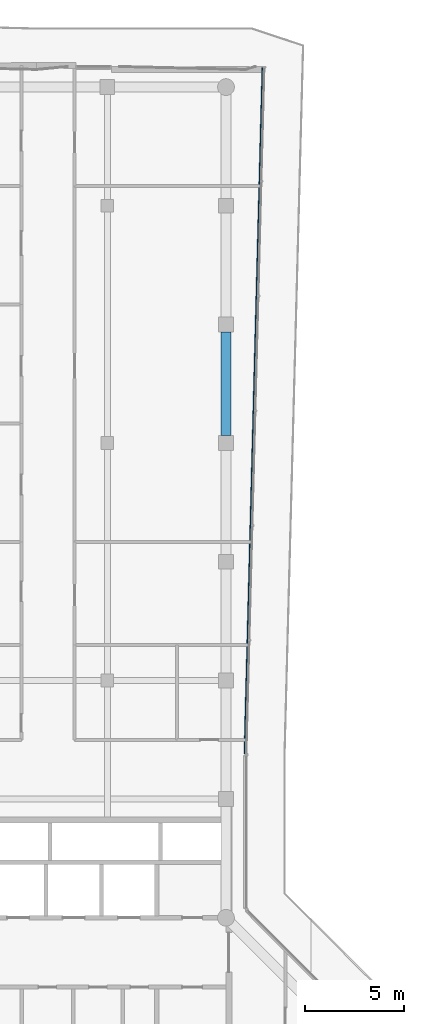
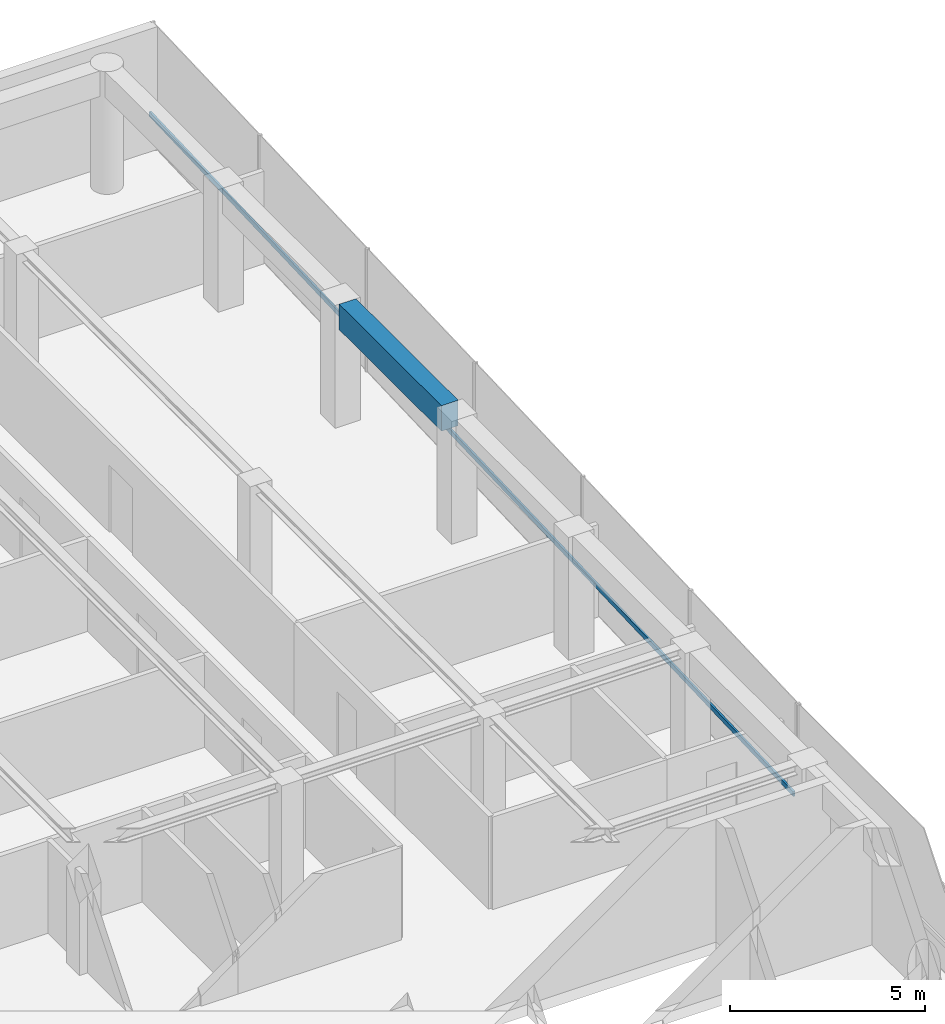
# One storey, part 11 of 18: 1 beam, 1 member, 1 element without a shape of its own.
"""IFC4 building model written with IfcOpenShell, lengths in metres."""

from ifc_helpers import new_model, si_unit, direction, frame, origin, origin_2d, place, context, subcontext, project, spatial, rectangle, extrude, material, layer, layer_set, material_profile, profile_set, type_object, element, aggregate, save


model = new_model("IFC4")

# Units and contexts
model_context = context("Model", 3, precision=1e-05, world=origin(), true_north=direction((0.0, 1.0)))
body_context = subcontext(model_context, "Body", "Model", "MODEL_VIEW")
ifc_project = project(units=[si_unit("LENGTHUNIT", "METRE"), si_unit("AREAUNIT", "SQUARE_METRE"), si_unit("VOLUMEUNIT", "CUBIC_METRE"), si_unit("PLANEANGLEUNIT", "RADIAN"), si_unit("MASSUNIT", "GRAM", prefix="KILO")], contexts=[model_context])

# Site, building, storey
site_placement = place(None, origin())
site = spatial("IfcSite", under=ifc_project, at=site_placement, CompositionType="ELEMENT")
building_placement = place(site_placement, origin())
building = spatial("IfcBuilding", under=site, at=building_placement, Name="Welwitschia Terrace Campus", CompositionType="ELEMENT")
storey_placement = place(building_placement, frame((0.0, 0.0, 281.0)))
storey = spatial("IfcBuildingStorey", under=building, at=storey_placement, Name="L62", CompositionType="ELEMENT", Elevation=281.0)

# Beam
ifc_material_1 = material(Name="Concrete C50/60", Category="concrete")
ifc_material_profile_1 = material_profile(ifc_material_1, rectangle(XDim=0.5, YDim=0.800048828125, at=origin_2d()))
ifc_profile_set_1 = profile_set([ifc_material_profile_1], Name="Concrete C50/60")
beam_type = type_object("IfcBeamType", Name="Ring spandrel 500x800", PredefinedType="SPANDREL", material=ifc_profile_set_1)
beam_placement = place(storey_placement, frame((24.0, 44.37548828125, 3.449951171875), z_axis=(0.0, 1.0, 0.0), x_axis=(-1.0, 0.0, 0.0)))
element("IfcBeam", 1, at=beam_placement, inside=storey, type_object=beam_type, Name="Spandrel SP4", PredefinedType="SPANDREL", context=body_context, shape_type="SweptSolid", body=[
    extrude(rectangle(XDim=0.5, YDim=0.800048828125, at=origin_2d()), origin(), (0.0, 0.0, 1.0), 5.2490234375),
])

# Curtain wall, member
ifc_material_2 = material(Name="Bronze anodised aluminium", Category="aluminium")
ifc_layer = layer(ifc_material_2, 0.1201171875)
ifc_layer_set = layer_set([ifc_layer], Name="Bronze anodised aluminium")
curtain_wall_type = type_object("IfcCurtainWallType", Name="Curtain wall CW2 tower 6000", PredefinedType="NOTDEFINED", material=ifc_layer_set)
curtain_wall_placement = place(storey_placement, origin())
curtain_wall = element("IfcCurtainWall", 2, at=curtain_wall_placement, inside=storey, type_object=curtain_wall_type, Name="CW L62.9.0", PredefinedType="NOTDEFINED")
ifc_material_3 = material(Name="Bronze anodised aluminium", Category="aluminium")
ifc_material_profile_2 = material_profile(ifc_material_3, rectangle(XDim=0.06005859375, YDim=0.14990234375, at=origin_2d()))
ifc_profile_set_2 = profile_set([ifc_material_profile_2], Name="Bronze anodised aluminium")
member_type = type_object("IfcMemberType", Name="Transom 60x150", PredefinedType="USERDEFINED", material=ifc_profile_set_2)
member_placement = place(storey_placement, frame((24.941650390625, 28.3056640625, 1.0), z_axis=(0.026175049256, 0.999657374702, 0.0), x_axis=(-0.999657374702, 0.026175049256, 0.0)))
member = element("IfcMember", 3, at=member_placement, type_object=member_type, Name="Transom L62.9.0", ObjectType="TRANSOM", PredefinedType="USERDEFINED", context=body_context, shape_type="SweptSolid", body=[
    extrude(rectangle(XDim=0.06005859375, YDim=0.14990234375, at=origin_2d()), origin(), (0.0, 0.0, 1.0), 34.6787109375),
])
aggregate(curtain_wall, [member])

save(model, "model.ifc")
